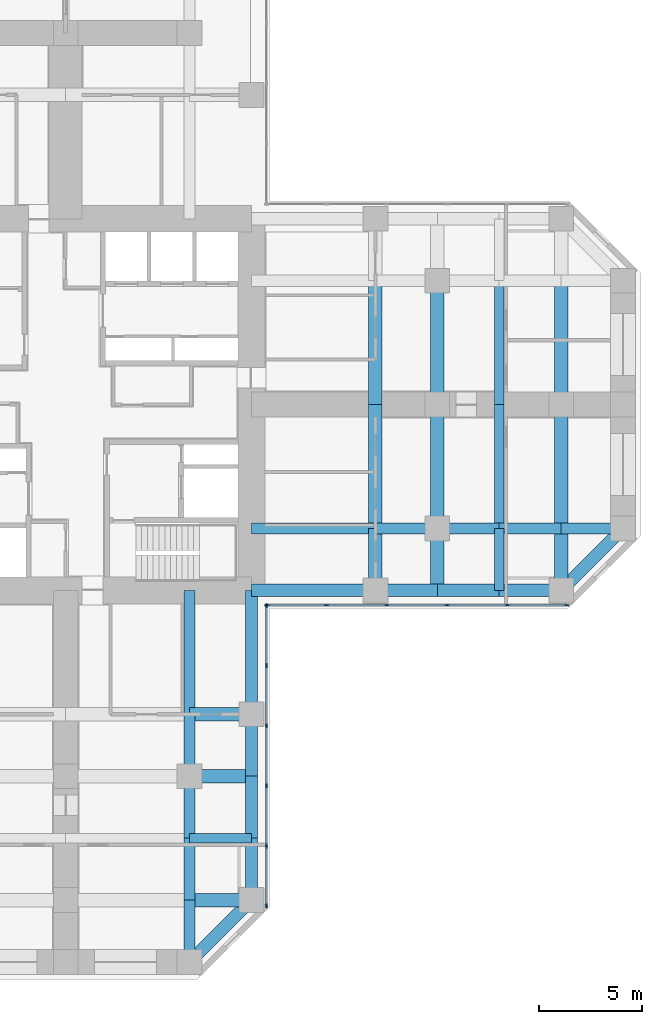
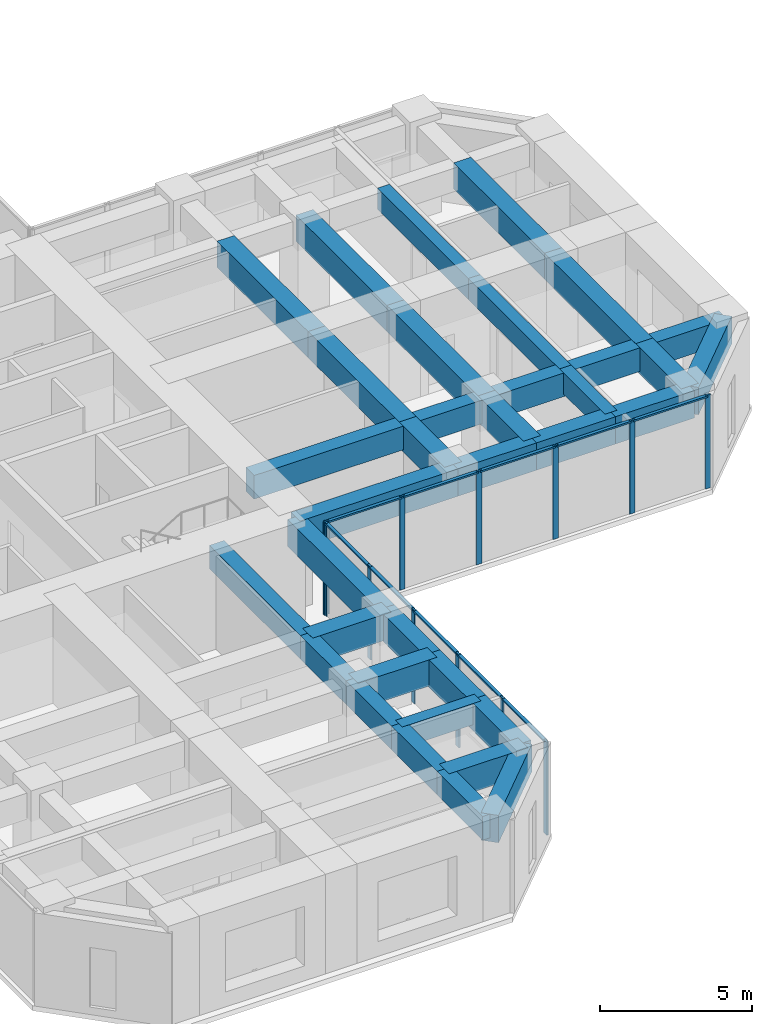
# One storey, part 4 of 13: 36 beams, 22 members, 2 elements without a shape of their own.
"""IFC4 building model written with IfcOpenShell, lengths in metres."""

from ifc_helpers import new_model, si_unit, direction, frame, origin, origin_2d, place, context, subcontext, project, spatial, rectangle, extrude, material, material_profile, profile_set, type_object, element, aggregate, save


model = new_model("IFC4")

# Units and contexts
model_context = context("Model", 3, precision=1e-05, world=origin(), true_north=direction((0.0, 1.0)))
body_context = subcontext(model_context, "Body", "Model", "MODEL_VIEW")
ifc_project = project(units=[si_unit("LENGTHUNIT", "METRE"), si_unit("AREAUNIT", "SQUARE_METRE"), si_unit("VOLUMEUNIT", "CUBIC_METRE"), si_unit("PLANEANGLEUNIT", "RADIAN"), si_unit("MASSUNIT", "GRAM", prefix="KILO")], contexts=[model_context])

# Site, building, storey
site_placement = place(None, origin())
site = spatial("IfcSite", under=ifc_project, at=site_placement, CompositionType="ELEMENT")
building_placement = place(site_placement, origin())
building = spatial("IfcBuilding", under=site, at=building_placement, Name="Torre Cruceta", CompositionType="ELEMENT")
storey_placement = place(building_placement, frame((0.0, 0.0, 91.5)))
storey = spatial("IfcBuildingStorey", under=building, at=storey_placement, Name="L22", CompositionType="ELEMENT", Elevation=91.5)

# Beams
ifc_material_1 = material(Name="Concrete G60 (fck 60 MPa)", Category="concrete")
ifc_material_profile_1 = material_profile(ifc_material_1, rectangle(XDim=0.550048828125, YDim=0.949951171875, at=origin_2d()), Name="RC 550X950")
ifc_profile_set_1 = profile_set([ifc_material_profile_1], Name="Concrete G60 (fck 60 MPa)")
beam_type_1 = type_object("IfcBeamType", Name="COLUMN LINE BEAM RC 550X950", PredefinedType="BEAM", material=ifc_profile_set_1)
beam_1_placement = place(storey_placement, frame((9.0, -6.0, 3.27490234375), z_axis=(1.0, 0.0, 0.0), x_axis=(0.0, 1.0, 0.0)))
element("IfcBeam", 1, at=beam_1_placement, inside=storey, type_object=beam_type_1, Name="LB3 L22 E col- 1", PredefinedType="BEAM", context=body_context, shape_type="SweptSolid", body=[
    extrude(rectangle(XDim=0.550048828125, YDim=0.949951171875, at=origin_2d()), origin(), (0.0, 0.0, 1.0), 6.0),
])
for number, where, z_axis, x_axis, name in (
    (2, (15.0, -6.0, 3.27490234375), (1.0, 0.0, 0.0), (0.0, 1.0, 0.0), "LB3 L22 E col- 2"),
    (3, (18.0, -6.0, 3.27490234375), (1.0, 0.0, 0.0), (0.0, 1.0, 0.0), "LB3 L22 E col- 3"),
    (4, (21.0, -6.0, 3.27490234375), (1.0, 0.0, 0.0), (0.0, 1.0, 0.0), "LB3 L22 E col- 4"),
    (5, (24.0, -6.0, 3.27490234375), (1.0, 0.0, 0.0), (0.0, 1.0, 0.0), "LB3 L22 E col- 5"),
):
    element("IfcBeam", number, at=place(storey_placement, frame(where, z_axis=z_axis, x_axis=x_axis)), inside=storey, type_object=beam_type_1, Name=name, PredefinedType="BEAM", context=body_context, shape_type="SweptSolid", body=[
        extrude(rectangle(XDim=0.550048828125, YDim=0.949951171875, at=origin_2d()), origin(), (0.0, 0.0, 1.0), 3.0),
    ])
beam_2_placement = place(storey_placement, frame((6.0, -9.0, 3.27490234375), z_axis=(0.0, -1.0, 0.0), x_axis=(1.0, 0.0, 0.0)))
element("IfcBeam", 6, at=beam_2_placement, inside=storey, type_object=beam_type_1, Name="LB3 L22 S col+ 1", PredefinedType="BEAM", context=body_context, shape_type="SweptSolid", body=[
    extrude(rectangle(XDim=0.550048828125, YDim=0.949951171875, at=origin_2d()), origin(), (0.0, 0.0, 1.0), 6.0),
])
for number, where, z_axis, x_axis, name in (
    (7, (6.0, -15.0, 3.27490234375), (0.0, -1.0, 0.0), (1.0, 0.0, 0.0), "LB3 L22 S col+ 2"),
    (8, (6.0, -18.0, 3.27490234375), (0.0, -1.0, 0.0), (1.0, 0.0, 0.0), "LB3 L22 S col+ 3"),
    (9, (6.0, -21.0, 3.27490234375), (0.0, -1.0, 0.0), (1.0, 0.0, 0.0), "LB3 L22 S col+ 4"),
    (10, (6.0, -24.0, 3.27490234375), (0.0, -1.0, 0.0), (1.0, 0.0, 0.0), "LB3 L22 S col+ 5"),
):
    element("IfcBeam", number, at=place(storey_placement, frame(where, z_axis=z_axis, x_axis=x_axis)), inside=storey, type_object=beam_type_1, Name=name, PredefinedType="BEAM", context=body_context, shape_type="SweptSolid", body=[
        extrude(rectangle(XDim=0.550048828125, YDim=0.949951171875, at=origin_2d()), origin(), (0.0, 0.0, 1.0), 3.0),
    ])
ifc_material_2 = material(Name="Concrete G60 (fck 60 MPa)", Category="concrete")
ifc_material_profile_2 = material_profile(ifc_material_2, rectangle(XDim=0.64990234375, YDim=1.050048828125, at=origin_2d()), Name="RC 650X1050")
ifc_profile_set_2 = profile_set([ifc_material_profile_2], Name="Concrete G60 (fck 60 MPa)")
beam_type_2 = type_object("IfcBeamType", Name="CROSS BEAM RC 650X1050", PredefinedType="BEAM", material=ifc_profile_set_2)
beam_3_placement = place(storey_placement, frame((15.0, -9.0, 3.22509765625), z_axis=(0.0, 1.0, 0.0), x_axis=(-1.0, 0.0, 0.0)))
element("IfcBeam", 11, at=beam_3_placement, inside=storey, type_object=beam_type_2, Name="GB3 L22 E cross15 1", PredefinedType="BEAM", context=body_context, shape_type="SweptSolid", body=[
    extrude(rectangle(XDim=0.64990234375, YDim=1.050048828125, at=origin_2d()), origin(), (0.0, 0.0, 1.0), 3.0),
])
for number, where, z_axis, x_axis, name in (
    (12, (15.0, -6.0, 3.22509765625), (0.0, 1.0, 0.0), (-1.0, 0.0, 0.0), "GB3 L22 E cross15 2"),
    (13, (15.0, 0.0, 3.22509765625), (0.0, 1.0, 0.0), (-1.0, 0.0, 0.0), "GB3 L22 E cross15 3"),
):
    element("IfcBeam", number, at=place(storey_placement, frame(where, z_axis=z_axis, x_axis=x_axis)), inside=storey, type_object=beam_type_2, Name=name, PredefinedType="BEAM", context=body_context, shape_type="SweptSolid", body=[
        extrude(rectangle(XDim=0.64990234375, YDim=1.050048828125, at=origin_2d()), origin(), (0.0, 0.0, 1.0), 6.0),
    ])
beam_4_placement = place(storey_placement, frame((18.0, -9.0, 3.22509765625), z_axis=(0.0, 1.0, 0.0), x_axis=(-1.0, 0.0, 0.0)))
element("IfcBeam", 14, at=beam_4_placement, inside=storey, type_object=beam_type_2, Name="GB3 L22 E cross18 1", PredefinedType="BEAM", context=body_context, shape_type="SweptSolid", body=[
    extrude(rectangle(XDim=0.64990234375, YDim=1.050048828125, at=origin_2d()), origin(), (0.0, 0.0, 1.0), 3.0),
])
for number, where, z_axis, x_axis, name in (
    (15, (18.0, -6.0, 3.22509765625), (0.0, 1.0, 0.0), (-1.0, 0.0, 0.0), "GB3 L22 E cross18 2"),
    (16, (18.0, 0.0, 3.22509765625), (0.0, 1.0, 0.0), (-1.0, 0.0, 0.0), "GB3 L22 E cross18 3"),
):
    element("IfcBeam", number, at=place(storey_placement, frame(where, z_axis=z_axis, x_axis=x_axis)), inside=storey, type_object=beam_type_2, Name=name, PredefinedType="BEAM", context=body_context, shape_type="SweptSolid", body=[
        extrude(rectangle(XDim=0.64990234375, YDim=1.050048828125, at=origin_2d()), origin(), (0.0, 0.0, 1.0), 6.0),
    ])
beam_5_placement = place(storey_placement, frame((24.0, -9.0, 3.22509765625), z_axis=(0.0, 1.0, 0.0), x_axis=(-1.0, 0.0, 0.0)))
element("IfcBeam", 17, at=beam_5_placement, inside=storey, type_object=beam_type_2, Name="GB3 L22 E cross24 1", PredefinedType="BEAM", context=body_context, shape_type="SweptSolid", body=[
    extrude(rectangle(XDim=0.64990234375, YDim=1.050048828125, at=origin_2d()), origin(), (0.0, 0.0, 1.0), 3.0),
])
for number, where, z_axis, x_axis, name in (
    (18, (24.0, -6.0, 3.22509765625), (0.0, 1.0, 0.0), (-1.0, 0.0, 0.0), "GB3 L22 E cross24 2"),
    (19, (24.0, 0.0, 3.22509765625), (0.0, 1.0, 0.0), (-1.0, 0.0, 0.0), "GB3 L22 E cross24 3"),
):
    element("IfcBeam", number, at=place(storey_placement, frame(where, z_axis=z_axis, x_axis=x_axis)), inside=storey, type_object=beam_type_2, Name=name, PredefinedType="BEAM", context=body_context, shape_type="SweptSolid", body=[
        extrude(rectangle(XDim=0.64990234375, YDim=1.050048828125, at=origin_2d()), origin(), (0.0, 0.0, 1.0), 6.0),
    ])
for number, where, z_axis, x_axis, name in (
    (20, (6.0, -15.0, 3.22509765625), (1.0, 0.0, 0.0), (0.0, 1.0, 0.0), "GB3 L22 S cross15 4"),
    (21, (6.0, -18.0, 3.22509765625), (1.0, 0.0, 0.0), (0.0, 1.0, 0.0), "GB3 L22 S cross18 4"),
    (22, (6.0, -24.0, 3.22509765625), (1.0, 0.0, 0.0), (0.0, 1.0, 0.0), "GB3 L22 S cross24 4"),
):
    element("IfcBeam", number, at=place(storey_placement, frame(where, z_axis=z_axis, x_axis=x_axis)), inside=storey, type_object=beam_type_2, Name=name, PredefinedType="BEAM", context=body_context, shape_type="SweptSolid", body=[
        extrude(rectangle(XDim=0.64990234375, YDim=1.050048828125, at=origin_2d()), origin(), (0.0, 0.0, 1.0), 3.0),
    ])

# Curtain wall, members
ifc_material_3 = material(Name="Aluminium unitised curtain wall", Category="aluminium")
curtain_wall_type = type_object("IfcCurtainWallType", Name="CURTAIN WALL CW-A OFFICE LOW RISE", PredefinedType="USERDEFINED", material=ifc_material_3)
curtain_wall_1_placement = place(storey_placement, origin())
curtain_wall_1 = element("IfcCurtainWall", 23, at=curtain_wall_1_placement, inside=storey, type_object=curtain_wall_type, Name="CW-A L22 E side 00", ObjectType="UNITISED", PredefinedType="USERDEFINED")
ifc_material_4 = material(Name="Aluminium mullion", Category="aluminium")
ifc_material_profile_3 = material_profile(ifc_material_4, rectangle(XDim=0.06494140625, YDim=0.199951171875, at=origin_2d()), Name="AL 65X200")
ifc_profile_set_3 = profile_set([ifc_material_profile_3], Name="Aluminium mullion")
member_type_1 = type_object("IfcMemberType", Name="CW-A MULLION 65X200", PredefinedType="MULLION", material=ifc_profile_set_3)
member_1_placement = place(storey_placement, frame((9.75244140625, -9.719970703125, 0.0), z_axis=(0.0, 0.0, 1.0), x_axis=(0.0, 1.0, 0.0)))
member_1 = element("IfcMember", 24, at=member_1_placement, type_object=member_type_1, Name="CW-A mullion 1", PredefinedType="MULLION", context=body_context, shape_type="SweptSolid", body=[
    extrude(rectangle(XDim=0.06494140625, YDim=0.199951171875, at=origin_2d()), origin(), (0.0, 0.0, 1.0), 3.75),
])
member_2_placement = place(storey_placement, frame((12.6357421875, -9.719970703125, 0.0), z_axis=(0.0, 0.0, 1.0), x_axis=(0.0, 1.0, 0.0)))
member_2 = element("IfcMember", 25, at=member_2_placement, type_object=member_type_1, Name="CW-A mullion 2", PredefinedType="MULLION", context=body_context, shape_type="SweptSolid", body=[
    extrude(rectangle(XDim=0.06494140625, YDim=0.199951171875, at=origin_2d()), origin(), (0.0, 0.0, 1.0), 3.75),
])
member_3_placement = place(storey_placement, frame((15.55126953125, -9.719970703125, 0.0), z_axis=(0.0, 0.0, 1.0), x_axis=(0.0, 1.0, 0.0)))
member_3 = element("IfcMember", 26, at=member_3_placement, type_object=member_type_1, Name="CW-A mullion 3", PredefinedType="MULLION", context=body_context, shape_type="SweptSolid", body=[
    extrude(rectangle(XDim=0.06494140625, YDim=0.199951171875, at=origin_2d()), origin(), (0.0, 0.0, 1.0), 3.75),
])
member_4_placement = place(storey_placement, frame((18.467041015625, -9.719970703125, 0.0), z_axis=(0.0, 0.0, 1.0), x_axis=(0.0, 1.0, 0.0)))
member_4 = element("IfcMember", 27, at=member_4_placement, type_object=member_type_1, Name="CW-A mullion 4", PredefinedType="MULLION", context=body_context, shape_type="SweptSolid", body=[
    extrude(rectangle(XDim=0.06494140625, YDim=0.199951171875, at=origin_2d()), origin(), (0.0, 0.0, 1.0), 3.75),
])
member_5_placement = place(storey_placement, frame((21.382568359375, -9.719970703125, 0.0), z_axis=(0.0, 0.0, 1.0), x_axis=(0.0, 1.0, 0.0)))
member_5 = element("IfcMember", 28, at=member_5_placement, type_object=member_type_1, Name="CW-A mullion 5", PredefinedType="MULLION", context=body_context, shape_type="SweptSolid", body=[
    extrude(rectangle(XDim=0.06494140625, YDim=0.199951171875, at=origin_2d()), origin(), (0.0, 0.0, 1.0), 3.75),
])
member_6_placement = place(storey_placement, frame((24.265625, -9.719970703125, 0.0), z_axis=(0.0, 0.0, 1.0), x_axis=(0.0, 1.0, 0.0)))
member_6 = element("IfcMember", 29, at=member_6_placement, type_object=member_type_1, Name="CW-A mullion 6", PredefinedType="MULLION", context=body_context, shape_type="SweptSolid", body=[
    extrude(rectangle(XDim=0.06494140625, YDim=0.199951171875, at=origin_2d()), origin(), (0.0, 0.0, 1.0), 3.75),
])

curtain_wall_2_placement = place(storey_placement, origin())
curtain_wall_2 = element("IfcCurtainWall", 30, at=curtain_wall_2_placement, inside=storey, type_object=curtain_wall_type, Name="CW-A L22 S side 19", ObjectType="UNITISED", PredefinedType="USERDEFINED")
member_7_placement = place(storey_placement, frame((9.719970703125, -24.265625, 0.0), z_axis=(0.0, 0.0, 1.0), x_axis=(-1.0, 0.0, 0.0)))
member_7 = element("IfcMember", 31, at=member_7_placement, type_object=member_type_1, Name="CW-A mullion 1", PredefinedType="MULLION", context=body_context, shape_type="SweptSolid", body=[
    extrude(rectangle(XDim=0.06494140625, YDim=0.199951171875, at=origin_2d()), origin(), (0.0, 0.0, 1.0), 3.75),
])
member_8_placement = place(storey_placement, frame((9.719970703125, -21.382568359375, 0.0), z_axis=(0.0, 0.0, 1.0), x_axis=(-1.0, 0.0, 0.0)))
member_8 = element("IfcMember", 32, at=member_8_placement, type_object=member_type_1, Name="CW-A mullion 2", PredefinedType="MULLION", context=body_context, shape_type="SweptSolid", body=[
    extrude(rectangle(XDim=0.06494140625, YDim=0.199951171875, at=origin_2d()), origin(), (0.0, 0.0, 1.0), 3.75),
])
member_9_placement = place(storey_placement, frame((9.719970703125, -18.467041015625, 0.0), z_axis=(0.0, 0.0, 1.0), x_axis=(-1.0, 0.0, 0.0)))
member_9 = element("IfcMember", 33, at=member_9_placement, type_object=member_type_1, Name="CW-A mullion 3", PredefinedType="MULLION", context=body_context, shape_type="SweptSolid", body=[
    extrude(rectangle(XDim=0.06494140625, YDim=0.199951171875, at=origin_2d()), origin(), (0.0, 0.0, 1.0), 3.75),
])
member_10_placement = place(storey_placement, frame((9.719970703125, -15.55126953125, 0.0), z_axis=(0.0, 0.0, 1.0), x_axis=(-1.0, 0.0, 0.0)))
member_10 = element("IfcMember", 34, at=member_10_placement, type_object=member_type_1, Name="CW-A mullion 4", PredefinedType="MULLION", context=body_context, shape_type="SweptSolid", body=[
    extrude(rectangle(XDim=0.06494140625, YDim=0.199951171875, at=origin_2d()), origin(), (0.0, 0.0, 1.0), 3.75),
])
member_11_placement = place(storey_placement, frame((9.719970703125, -12.6357421875, 0.0), z_axis=(0.0, 0.0, 1.0), x_axis=(-1.0, 0.0, 0.0)))
member_11 = element("IfcMember", 35, at=member_11_placement, type_object=member_type_1, Name="CW-A mullion 5", PredefinedType="MULLION", context=body_context, shape_type="SweptSolid", body=[
    extrude(rectangle(XDim=0.06494140625, YDim=0.199951171875, at=origin_2d()), origin(), (0.0, 0.0, 1.0), 3.75),
])
member_12_placement = place(storey_placement, frame((9.719970703125, -9.75244140625, 0.0), z_axis=(0.0, 0.0, 1.0), x_axis=(-1.0, 0.0, 0.0)))
member_12 = element("IfcMember", 36, at=member_12_placement, type_object=member_type_1, Name="CW-A mullion 6", PredefinedType="MULLION", context=body_context, shape_type="SweptSolid", body=[
    extrude(rectangle(XDim=0.06494140625, YDim=0.199951171875, at=origin_2d()), origin(), (0.0, 0.0, 1.0), 3.75),
])

# Member
ifc_material_5 = material(Name="Aluminium transom", Category="aluminium")
ifc_material_profile_4 = material_profile(ifc_material_5, rectangle(XDim=0.1201171875, YDim=0.06494140625, at=origin_2d()), Name="AL 120X65")
ifc_profile_set_4 = profile_set([ifc_material_profile_4], Name="Aluminium transom")
member_type_2 = type_object("IfcMemberType", Name="CW-A TRANSOM 65X120", PredefinedType="USERDEFINED", material=ifc_profile_set_4)
member_13_placement = place(storey_placement, frame((9.784912109375, -9.719970703125, 3.717529296875), z_axis=(1.0, 0.0, 0.0), x_axis=(0.0, 1.0, 0.0)))
member_13 = element("IfcMember", 37, at=member_13_placement, type_object=member_type_2, Name="CW-A transom 1", ObjectType="TRANSOM", PredefinedType="USERDEFINED", context=body_context, shape_type="SweptSolid", body=[
    extrude(rectangle(XDim=0.1201171875, YDim=0.06494140625, at=origin_2d()), origin(), (0.0, 0.0, 1.0), 2.818115234375),
])

member_14_placement = place(storey_placement, frame((12.668212890625, -9.719970703125, 3.717529296875), z_axis=(1.0, 0.0, 0.0), x_axis=(0.0, 1.0, 0.0)))
member_14 = element("IfcMember", 38, at=member_14_placement, type_object=member_type_2, Name="CW-A transom 2", ObjectType="TRANSOM", PredefinedType="USERDEFINED", context=body_context, shape_type="SweptSolid", body=[
    extrude(rectangle(XDim=0.1201171875, YDim=0.06494140625, at=origin_2d()), origin(), (0.0, 0.0, 1.0), 2.8505859375),
])

member_15_placement = place(storey_placement, frame((15.583740234375, -9.719970703125, 3.717529296875), z_axis=(1.0, 0.0, 0.0), x_axis=(0.0, 1.0, 0.0)))
member_15 = element("IfcMember", 39, at=member_15_placement, type_object=member_type_2, Name="CW-A transom 3", ObjectType="TRANSOM", PredefinedType="USERDEFINED", context=body_context, shape_type="SweptSolid", body=[
    extrude(rectangle(XDim=0.1201171875, YDim=0.06494140625, at=origin_2d()), origin(), (0.0, 0.0, 1.0), 2.8505859375),
])

member_16_placement = place(storey_placement, frame((18.49951171875, -9.719970703125, 3.717529296875), z_axis=(1.0, 0.0, 0.0), x_axis=(0.0, 1.0, 0.0)))
member_16 = element("IfcMember", 40, at=member_16_placement, type_object=member_type_2, Name="CW-A transom 4", ObjectType="TRANSOM", PredefinedType="USERDEFINED", context=body_context, shape_type="SweptSolid", body=[
    extrude(rectangle(XDim=0.1201171875, YDim=0.06494140625, at=origin_2d()), origin(), (0.0, 0.0, 1.0), 2.8505859375),
])

member_17_placement = place(storey_placement, frame((21.4150390625, -9.719970703125, 3.717529296875), z_axis=(1.0, 0.0, 0.0), x_axis=(0.0, 1.0, 0.0)))
member_17 = element("IfcMember", 41, at=member_17_placement, type_object=member_type_2, Name="CW-A transom 5", ObjectType="TRANSOM", PredefinedType="USERDEFINED", context=body_context, shape_type="SweptSolid", body=[
    extrude(rectangle(XDim=0.1201171875, YDim=0.06494140625, at=origin_2d()), origin(), (0.0, 0.0, 1.0), 2.818115234375),
])

aggregate(curtain_wall_1, [member_1, member_2, member_3, member_4, member_5, member_6, member_13, member_14, member_15, member_16, member_17])

member_18_placement = place(storey_placement, frame((9.719970703125, -24.233154296875, 3.717529296875), z_axis=(0.0, 1.0, 0.0), x_axis=(-1.0, 0.0, 0.0)))
member_18 = element("IfcMember", 42, at=member_18_placement, type_object=member_type_2, Name="CW-A transom 1", ObjectType="TRANSOM", PredefinedType="USERDEFINED", context=body_context, shape_type="SweptSolid", body=[
    extrude(rectangle(XDim=0.1201171875, YDim=0.06494140625, at=origin_2d()), origin(), (0.0, 0.0, 1.0), 2.818115234375),
])

member_19_placement = place(storey_placement, frame((9.719970703125, -21.35009765625, 3.717529296875), z_axis=(0.0, 1.0, 0.0), x_axis=(-1.0, 0.0, 0.0)))
member_19 = element("IfcMember", 43, at=member_19_placement, type_object=member_type_2, Name="CW-A transom 2", ObjectType="TRANSOM", PredefinedType="USERDEFINED", context=body_context, shape_type="SweptSolid", body=[
    extrude(rectangle(XDim=0.1201171875, YDim=0.06494140625, at=origin_2d()), origin(), (0.0, 0.0, 1.0), 2.8505859375),
])

member_20_placement = place(storey_placement, frame((9.719970703125, -18.434326171875, 3.717529296875), z_axis=(0.0, 1.0, 0.0), x_axis=(-1.0, 0.0, 0.0)))
member_20 = element("IfcMember", 44, at=member_20_placement, type_object=member_type_2, Name="CW-A transom 3", ObjectType="TRANSOM", PredefinedType="USERDEFINED", context=body_context, shape_type="SweptSolid", body=[
    extrude(rectangle(XDim=0.1201171875, YDim=0.06494140625, at=origin_2d()), origin(), (0.0, 0.0, 1.0), 2.8505859375),
])

member_21_placement = place(storey_placement, frame((9.719970703125, -15.518798828125, 3.717529296875), z_axis=(0.0, 1.0, 0.0), x_axis=(-1.0, 0.0, 0.0)))
member_21 = element("IfcMember", 45, at=member_21_placement, type_object=member_type_2, Name="CW-A transom 4", ObjectType="TRANSOM", PredefinedType="USERDEFINED", context=body_context, shape_type="SweptSolid", body=[
    extrude(rectangle(XDim=0.1201171875, YDim=0.06494140625, at=origin_2d()), origin(), (0.0, 0.0, 1.0), 2.8505859375),
])

member_22_placement = place(storey_placement, frame((9.719970703125, -12.60302734375, 3.717529296875), z_axis=(0.0, 1.0, 0.0), x_axis=(-1.0, 0.0, 0.0)))
member_22 = element("IfcMember", 46, at=member_22_placement, type_object=member_type_2, Name="CW-A transom 5", ObjectType="TRANSOM", PredefinedType="USERDEFINED", context=body_context, shape_type="SweptSolid", body=[
    extrude(rectangle(XDim=0.1201171875, YDim=0.06494140625, at=origin_2d()), origin(), (0.0, 0.0, 1.0), 2.818115234375),
])

aggregate(curtain_wall_2, [member_7, member_8, member_9, member_10, member_11, member_12, member_18, member_19, member_20, member_21, member_22])

# Beams
ifc_material_6 = material(Name="Concrete G60 (fck 60 MPa)", Category="concrete")
ifc_material_profile_5 = material_profile(ifc_material_6, rectangle(XDim=0.449951171875, YDim=0.85009765625, at=origin_2d()), Name="RC 450X850")
ifc_profile_set_5 = profile_set([ifc_material_profile_5], Name="Concrete G60 (fck 60 MPa)")
beam_type_3 = type_object("IfcBeamType", Name="SECONDARY BEAM RC 450X850", PredefinedType="JOIST", material=ifc_profile_set_5)
beam_6_placement = place(storey_placement, frame((21.0, -9.0, 3.324951171875), z_axis=(0.0, 1.0, 0.0), x_axis=(-1.0, 0.0, 0.0)))
element("IfcBeam", 47, at=beam_6_placement, inside=storey, type_object=beam_type_3, Name="JB4 L22 E sec21 1", PredefinedType="JOIST", context=body_context, shape_type="SweptSolid", body=[
    extrude(rectangle(XDim=0.449951171875, YDim=0.85009765625, at=origin_2d()), origin(), (0.0, 0.0, 1.0), 3.0),
])
for number, where, z_axis, x_axis, name in (
    (48, (21.0, -6.0, 3.324951171875), (0.0, 1.0, 0.0), (-1.0, 0.0, 0.0), "JB4 L22 E sec21 2"),
    (49, (21.0, 0.0, 3.324951171875), (0.0, 1.0, 0.0), (-1.0, 0.0, 0.0), "JB4 L22 E sec21 3"),
):
    element("IfcBeam", number, at=place(storey_placement, frame(where, z_axis=z_axis, x_axis=x_axis)), inside=storey, type_object=beam_type_3, Name=name, PredefinedType="JOIST", context=body_context, shape_type="SweptSolid", body=[
        extrude(rectangle(XDim=0.449951171875, YDim=0.85009765625, at=origin_2d()), origin(), (0.0, 0.0, 1.0), 6.0),
    ])
beam_7_placement = place(storey_placement, frame((6.0, -21.0, 3.324951171875), z_axis=(1.0, 0.0, 0.0), x_axis=(0.0, 1.0, 0.0)))
element("IfcBeam", 50, at=beam_7_placement, inside=storey, type_object=beam_type_3, Name="JB4 L22 S sec21 4", PredefinedType="JOIST", context=body_context, shape_type="SweptSolid", body=[
    extrude(rectangle(XDim=0.449951171875, YDim=0.85009765625, at=origin_2d()), origin(), (0.0, 0.0, 1.0), 3.0),
])
ifc_material_7 = material(Name="Concrete G60 (fck 60 MPa)", Category="concrete")
ifc_material_profile_6 = material_profile(ifc_material_7, rectangle(XDim=0.60009765625, YDim=1.10009765625, at=origin_2d()), Name="RC 600X1100")
ifc_profile_set_6 = profile_set([ifc_material_profile_6], Name="Concrete G60 (fck 60 MPa)")
beam_type_4 = type_object("IfcBeamType", Name="SPANDREL BEAM RC 600X1100", PredefinedType="SPANDREL", material=ifc_profile_set_6)
beam_8_placement = place(storey_placement, frame((9.0, -9.0, 3.199951171875), z_axis=(1.0, 0.0, 0.0), x_axis=(0.0, 1.0, 0.0)))
element("IfcBeam", 51, at=beam_8_placement, inside=storey, type_object=beam_type_4, Name="SB2 L22 E side- 1", PredefinedType="SPANDREL", context=body_context, shape_type="SweptSolid", body=[
    extrude(rectangle(XDim=0.60009765625, YDim=1.10009765625, at=origin_2d()), origin(), (0.0, 0.0, 1.0), 6.0),
])
for number, where, z_axis, x_axis, name in (
    (52, (15.0, -9.0, 3.199951171875), (1.0, 0.0, 0.0), (0.0, 1.0, 0.0), "SB2 L22 E side- 2"),
    (53, (18.0, -9.0, 3.199951171875), (1.0, 0.0, 0.0), (0.0, 1.0, 0.0), "SB2 L22 E side- 3"),
    (54, (21.0, -9.0, 3.199951171875), (1.0, 0.0, 0.0), (0.0, 1.0, 0.0), "SB2 L22 E side- 4"),
):
    element("IfcBeam", number, at=place(storey_placement, frame(where, z_axis=z_axis, x_axis=x_axis)), inside=storey, type_object=beam_type_4, Name=name, PredefinedType="SPANDREL", context=body_context, shape_type="SweptSolid", body=[
        extrude(rectangle(XDim=0.60009765625, YDim=1.10009765625, at=origin_2d()), origin(), (0.0, 0.0, 1.0), 3.0),
    ])
beam_9_placement = place(storey_placement, frame((24.0, -9.0, 3.199951171875), z_axis=(0.707106781187, 0.707106781187, 0.0), x_axis=(-0.707106781187, 0.707106781187, 0.0)))
element("IfcBeam", 55, at=beam_9_placement, inside=storey, type_object=beam_type_4, Name="SB2 L22 E side- 5", PredefinedType="SPANDREL", context=body_context, shape_type="SweptSolid", body=[
    extrude(rectangle(XDim=0.60009765625, YDim=1.10009765625, at=origin_2d()), origin(), (0.0, 0.0, 1.0), 4.24267578125),
])
beam_10_placement = place(storey_placement, frame((9.0, -9.0, 3.199951171875), z_axis=(0.0, -1.0, 0.0), x_axis=(1.0, 0.0, 0.0)))
element("IfcBeam", 56, at=beam_10_placement, inside=storey, type_object=beam_type_4, Name="SB2 L22 S side+ 1", PredefinedType="SPANDREL", context=body_context, shape_type="SweptSolid", body=[
    extrude(rectangle(XDim=0.60009765625, YDim=1.10009765625, at=origin_2d()), origin(), (0.0, 0.0, 1.0), 6.0),
])
for number, where, z_axis, x_axis, name in (
    (57, (9.0, -15.0, 3.199951171875), (0.0, -1.0, 0.0), (1.0, 0.0, 0.0), "SB2 L22 S side+ 2"),
    (58, (9.0, -18.0, 3.199951171875), (0.0, -1.0, 0.0), (1.0, 0.0, 0.0), "SB2 L22 S side+ 3"),
    (59, (9.0, -21.0, 3.199951171875), (0.0, -1.0, 0.0), (1.0, 0.0, 0.0), "SB2 L22 S side+ 4"),
):
    element("IfcBeam", number, at=place(storey_placement, frame(where, z_axis=z_axis, x_axis=x_axis)), inside=storey, type_object=beam_type_4, Name=name, PredefinedType="SPANDREL", context=body_context, shape_type="SweptSolid", body=[
        extrude(rectangle(XDim=0.60009765625, YDim=1.10009765625, at=origin_2d()), origin(), (0.0, 0.0, 1.0), 3.0),
    ])
beam_11_placement = place(storey_placement, frame((9.0, -24.0, 3.199951171875), z_axis=(-0.707106781187, -0.707106781187, 0.0), x_axis=(0.707106781187, -0.707106781187, 0.0)))
element("IfcBeam", 60, at=beam_11_placement, inside=storey, type_object=beam_type_4, Name="SB2 L22 S side+ 5", PredefinedType="SPANDREL", context=body_context, shape_type="SweptSolid", body=[
    extrude(rectangle(XDim=0.60009765625, YDim=1.10009765625, at=origin_2d()), origin(), (0.0, 0.0, 1.0), 4.24267578125),
])

save(model, "model.ifc")
